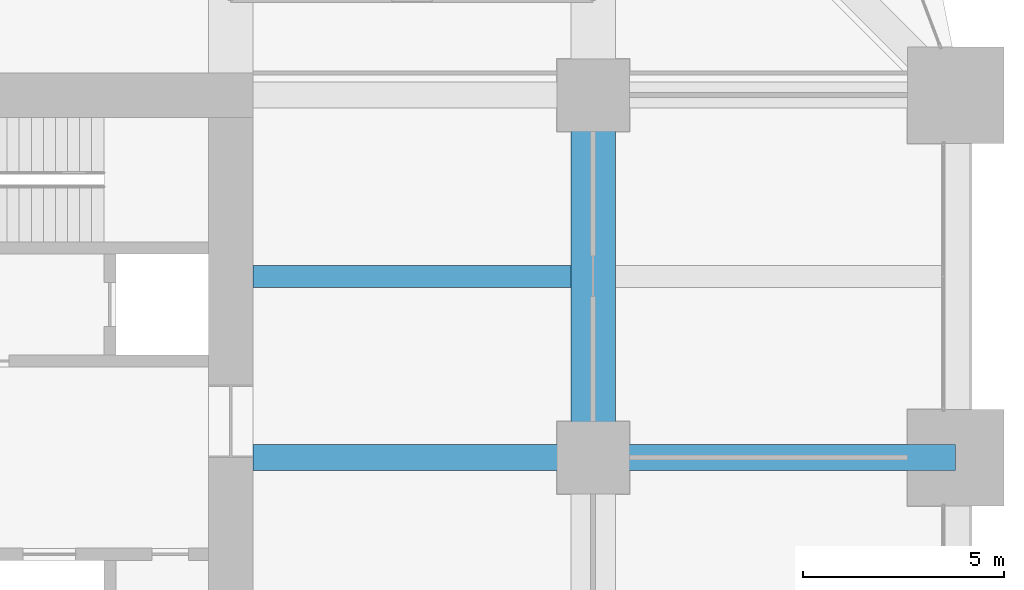
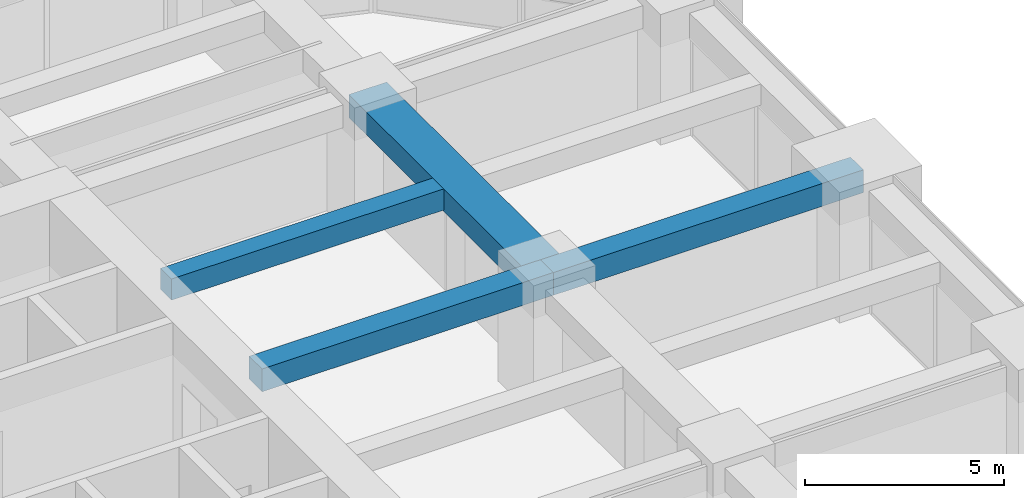
# One storey, part 22 of 40: 4 beams.
"""IFC4 building model written with IfcOpenShell, lengths in metres."""

from ifc_helpers import new_model, si_unit, direction, frame, origin, origin_2d, place, context, subcontext, project, spatial, rectangle, extrude, material, material_profile, profile_set, type_object, element, save


model = new_model("IFC4")

# Units and contexts
model_context = context("Model", 3, precision=1e-05, world=origin(), true_north=direction((0.0, 1.0)))
body_context = subcontext(model_context, "Body", "Model", "MODEL_VIEW")
ifc_project = project(units=[si_unit("LENGTHUNIT", "METRE"), si_unit("AREAUNIT", "SQUARE_METRE"), si_unit("VOLUMEUNIT", "CUBIC_METRE"), si_unit("PLANEANGLEUNIT", "RADIAN"), si_unit("MASSUNIT", "GRAM", prefix="KILO")], contexts=[model_context])

# Site, building, storey
site_placement = place(None, origin())
site = spatial("IfcSite", under=ifc_project, at=site_placement, CompositionType="ELEMENT")
building_placement = place(site_placement, origin())
building = spatial("IfcBuilding", under=site, at=building_placement, Name="Zorevar Civic Tower", CompositionType="ELEMENT")
storey_placement = place(building_placement, frame((0.0, 0.0, 133.0)))
storey = spatial("IfcBuildingStorey", under=building, at=storey_placement, Name="L32", CompositionType="ELEMENT", Elevation=133.0)

# Beams
ifc_material_1 = material(Name="Concrete C50/60", Category="concrete")
ifc_material_profile_1 = material_profile(ifc_material_1, rectangle(XDim=1.10009765625, YDim=0.699951171875, at=origin_2d()), Name="RC 1100x700")
ifc_profile_set_1 = profile_set([ifc_material_profile_1], Name="Concrete C50/60")
beam_type_1 = type_object("IfcBeamType", Name="Beam RC 1100x700", PredefinedType="BEAM", material=ifc_profile_set_1)
beam_1_placement = place(storey_placement, frame((54.0, 27.0, 3.39990234375), z_axis=(0.0, 1.0, 0.0), x_axis=(-1.0, 0.0, 0.0)))
element("IfcBeam", 1, at=beam_1_placement, inside=storey, type_object=beam_type_1, Name="Girder L33", PredefinedType="BEAM", context=body_context, shape_type="SweptSolid", body=[
    extrude(rectangle(XDim=1.10009765625, YDim=0.699951171875, at=origin_2d()), origin(), (0.0, 0.0, 1.0), 9.0),
])
ifc_material_2 = material(Name="Concrete C50/60", Category="concrete")
ifc_material_profile_2 = material_profile(ifc_material_2, rectangle(XDim=0.550048828125, YDim=0.64990234375, at=origin_2d()), Name="RC 550x650")
ifc_profile_set_2 = profile_set([ifc_material_profile_2], Name="Concrete C50/60")
beam_type_2 = type_object("IfcBeamType", Name="Beam RC 550x650", PredefinedType="BEAM", material=ifc_profile_set_2)
beam_2_placement = place(storey_placement, frame((45.550048828125, 31.5, 3.425048828125), z_axis=(1.0, 0.0, 0.0), x_axis=(0.0, 1.0, 0.0)))
element("IfcBeam", 2, at=beam_2_placement, inside=storey, type_object=beam_type_2, Name="Secondary beam L33", PredefinedType="BEAM", context=body_context, shape_type="SweptSolid", body=[
    extrude(rectangle(XDim=0.550048828125, YDim=0.64990234375, at=origin_2d()), origin(), (0.0, 0.0, 1.0), 7.89990234375),
])
ifc_material_3 = material(Name="Concrete C50/60", Category="concrete")
ifc_material_profile_3 = material_profile(ifc_material_3, rectangle(XDim=0.64990234375, YDim=0.699951171875, at=origin_2d()), Name="RC 650x700")
ifc_profile_set_3 = profile_set([ifc_material_profile_3], Name="Concrete C50/60")
beam_type_3 = type_object("IfcBeamType", Name="Beam RC 650x700", PredefinedType="BEAM", material=ifc_profile_set_3)
beam_3_placement = place(storey_placement, frame((45.550048828125, 27.0, 3.39990234375), z_axis=(1.0, 0.0, 0.0), x_axis=(0.0, 1.0, 0.0)))
element("IfcBeam", 3, at=beam_3_placement, inside=storey, type_object=beam_type_3, Name="Girder L33", PredefinedType="BEAM", context=body_context, shape_type="SweptSolid", body=[
    extrude(rectangle(XDim=0.64990234375, YDim=0.699951171875, at=origin_2d()), origin(), (0.0, 0.0, 1.0), 8.449951171875),
])
beam_4_placement = place(storey_placement, frame((54.0, 27.0, 3.39990234375), z_axis=(1.0, 0.0, 0.0), x_axis=(0.0, 1.0, 0.0)))
element("IfcBeam", 4, at=beam_4_placement, inside=storey, type_object=beam_type_3, Name="Girder L33", PredefinedType="BEAM", context=body_context, shape_type="SweptSolid", body=[
    extrude(rectangle(XDim=0.64990234375, YDim=0.699951171875, at=origin_2d()), origin(), (0.0, 0.0, 1.0), 9.0),
])

save(model, "model.ifc")
